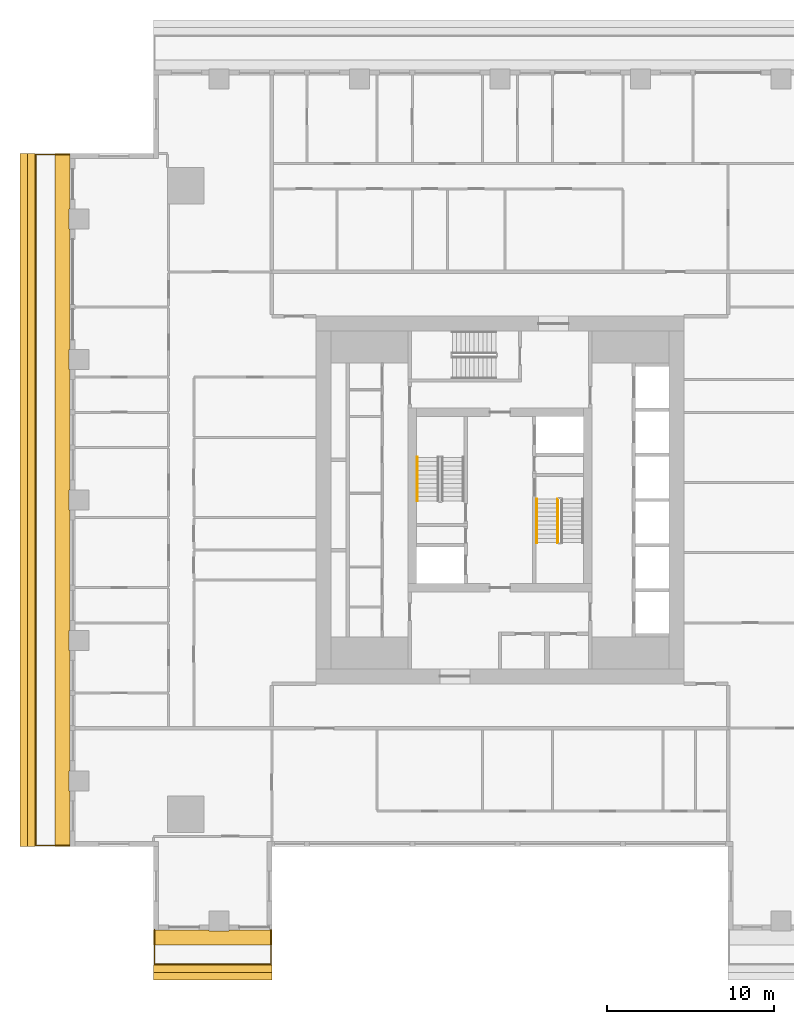
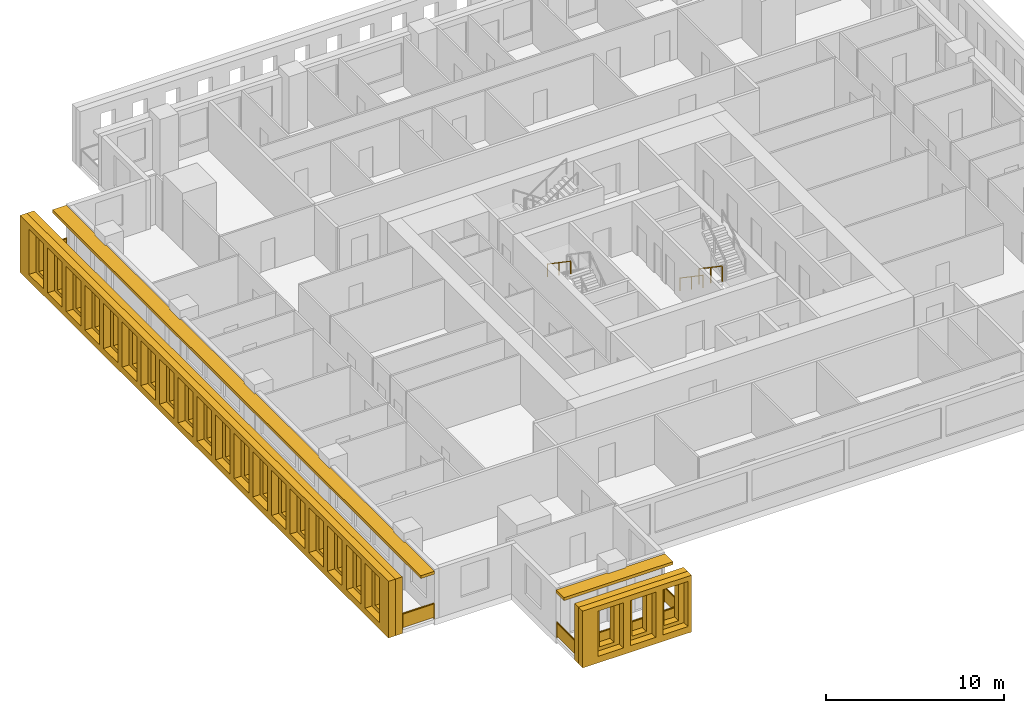
# One storey, part 10 of 14: 6 shading devices, 5 railings.
"""IFC4 building model written with IfcOpenShell, lengths in metres."""

import ifcopenshell
import ifcopenshell.guid

model = None  # the IFC model being written
_history = None  # IfcOwnerHistory: only IFC2X3 demands one
_inside = {}  # id of a spatial element -> (the spatial element, [elements in it])
_under = {}  # id of a project, library or spatial element -> (it, [spatial elements below it])
_declared = {}  # id of a project -> (the project, [libraries it declares])
_typed = {}  # id of a type object -> (the type object, [elements of that type])
_made_of = {}  # id of a material, layer set ... -> (it, [elements and type objects made of it])


def new_model(schema):
    """Start an empty IFC model of exactly this schema.

    Asked for "IFC4X3", IfcOpenShell would pick the latest addendum, in which some entities
    have other attributes; the version numbers below select the first issue.
    IFC2X3 requires an IfcOwnerHistory on every rooted entity: one is made here for all.
    """
    global model, _history
    if schema == "IFC4X3":
        model = ifcopenshell.file(schema_version=(4, 3, 0, 0))
    else:
        model = ifcopenshell.file(schema=schema)
    _inside.clear()
    _under.clear()
    _declared.clear()
    _typed.clear()
    _made_of.clear()
    _history = None
    if model.schema == "IFC2X3":
        org = make("IfcOrganization", Name="unknown")
        user = make(
            "IfcPersonAndOrganization",
            ThePerson=make("IfcPerson", FamilyName="unknown"),
            TheOrganization=org,
        )
        app = make(
            "IfcApplication",
            ApplicationDeveloper=org,
            Version="unknown",
            ApplicationFullName="unknown",
            ApplicationIdentifier="unknown",
        )
        _history = make(
            "IfcOwnerHistory",
            OwningUser=user,
            OwningApplication=app,
            ChangeAction="ADDED",
            CreationDate=0,
        )
    return model


def make(cls, **values):
    """One entity of the class cls with the attributes given. An attribute that is None is left unset."""
    return model.create_entity(
        cls, **{name: value for name, value in values.items() if value is not None}
    )


def rooted(cls, **values):
    """An entity with a GlobalId (a new one), such as an element, a storey or a relation."""
    return make(cls, GlobalId=ifcopenshell.guid.new(), OwnerHistory=_history, **values)


def si_unit(unit_type, name, prefix=None):
    """IfcSIUnit, for example si_unit("LENGTHUNIT", "METRE", prefix="MILLI")."""
    return make("IfcSIUnit", UnitType=unit_type, Prefix=prefix, Name=name)


def assignment(units):
    """IfcUnitAssignment: the units of a project."""
    return None if units is None else make("IfcUnitAssignment", Units=units)


def point(xyz):
    """IfcCartesianPoint."""
    return None if xyz is None else make("IfcCartesianPoint", Coordinates=xyz)


def direction(xyz):
    """IfcDirection."""
    return None if xyz is None else make("IfcDirection", DirectionRatios=xyz)


def frame(location, z_axis=None, x_axis=None):
    """IfcAxis2Placement3D, a coordinate frame: its origin and axes. An axis left out is left unset."""
    return make(
        "IfcAxis2Placement3D",
        Location=point(location),
        Axis=direction(z_axis),
        RefDirection=direction(x_axis),
    )


def frame_2d(location, x_axis=None):
    """IfcAxis2Placement2D, a coordinate frame in the plane: its origin and x axis."""
    return make(
        "IfcAxis2Placement2D", Location=point(location), RefDirection=direction(x_axis)
    )


def origin():
    """The frame at (0, 0, 0) with its axes left unset."""
    return frame((0.0, 0.0, 0.0))


def origin_2d():
    """The frame at (0, 0) in the plane with its x axis left unset."""
    return frame_2d((0.0, 0.0))


def place(relative_to, where):
    """IfcLocalPlacement: puts the frame where relative to a parent placement (None: the world)."""
    return make(
        "IfcLocalPlacement", PlacementRelTo=relative_to, RelativePlacement=where
    )


def context(
    kind, dimensions, precision=None, world=None, true_north=None, identifier=None
):
    """IfcGeometricRepresentationContext, for example the 3D "Model" context."""
    return make(
        "IfcGeometricRepresentationContext",
        ContextIdentifier=identifier,
        ContextType=kind,
        CoordinateSpaceDimension=dimensions,
        Precision=precision,
        WorldCoordinateSystem=world,
        TrueNorth=true_north,
    )


def subcontext(parent, identifier, kind, view, scale=None):
    """IfcGeometricRepresentationSubContext, for example "Body" below "Model"."""
    return make(
        "IfcGeometricRepresentationSubContext",
        ContextIdentifier=identifier,
        ContextType=kind,
        ParentContext=parent,
        TargetScale=scale,
        TargetView=view,
    )


def project(units=None, contexts=None):
    """IfcProject with its units and contexts."""
    return rooted(
        "IfcProject",
        Name="project",
        RepresentationContexts=contexts,
        UnitsInContext=assignment(units),
    )


def spatial(cls, under=None, at=None, **own):
    """A site, building, storey or space (cls), placed at a placement, below another one or the project."""
    s = rooted(cls, ObjectPlacement=at, **own)
    if under is not None:
        _under.setdefault(under.id(), (under, []))[1].append(s)
    return s


def polyline(points):
    """IfcPolyline through the points."""
    return make("IfcPolyline", Points=[point(p) for p in points])


def profile(cls, at=None, kind="AREA", **sizes):
    """A parametric profile (cls). Its sizes go by their IFC names, for example OverallWidth=200.0."""
    return make(cls, ProfileType=kind, Position=at, **sizes)


def rectangle(**sizes):
    """IfcRectangleProfileDef."""
    return profile("IfcRectangleProfileDef", **sizes)


def outline(outer, holes=None, kind="AREA"):
    """IfcArbitraryClosedProfileDef: a profile drawn as a closed curve; with holes, ...WithVoids."""
    if holes is None:
        return make("IfcArbitraryClosedProfileDef", ProfileType=kind, OuterCurve=outer)
    return make(
        "IfcArbitraryProfileDefWithVoids",
        ProfileType=kind,
        OuterCurve=outer,
        InnerCurves=holes,
    )


def extrude(swept, where, along, depth):
    """IfcExtrudedAreaSolid: the profile swept, set in the frame where, extruded along a direction by depth."""
    return make(
        "IfcExtrudedAreaSolid",
        SweptArea=swept,
        Position=where,
        ExtrudedDirection=direction(along),
        Depth=depth,
    )


def shape(context_of_items, identifier, shape_type, items):
    """IfcShapeRepresentation: the items that make up one representation, for example the "Body"."""
    return make(
        "IfcShapeRepresentation",
        ContextOfItems=context_of_items,
        RepresentationIdentifier=identifier,
        RepresentationType=shape_type,
        Items=items,
    )


def material(Name=None, Category=None):
    """IfcMaterial."""
    return make("IfcMaterial", Name=Name, Category=Category)


def layer(
    of_material, thickness, ventilated=None, Name=None, Category=None, Priority=None
):
    """IfcMaterialLayer: one layer of a wall or slab, of a material (None: an air gap)."""
    return make(
        "IfcMaterialLayer",
        Material=of_material,
        LayerThickness=thickness,
        IsVentilated=ventilated,
        Name=Name,
        Category=Category,
        Priority=Priority,
    )


def layer_set(layers, Name=None):
    """IfcMaterialLayerSet."""
    return make("IfcMaterialLayerSet", MaterialLayers=layers, LayerSetName=Name)


def made_of(thing, what):
    """Note that an element or type object is made of a material, layer set ...; save() writes the relation."""
    if what is not None:
        _made_of.setdefault(what.id(), (what, []))[1].append(thing)
    return thing


def type_object(cls, material=None, **own):
    """A type object (cls), such as IfcWallType, which elements share."""
    return made_of(rooted(cls, **own), material)


def element(
    cls,
    number,
    at=None,
    inside=None,
    cuts=None,
    type_object=None,
    material=None,
    context=None,
    identifier="Body",
    shape_type=None,
    held_by="IfcProductDefinitionShape",
    body=None,
    shapes=None,
    **own,
):
    """One element of the class cls, such as IfcWall. Its Tag is "e" and its number.

    at: its placement. inside: the storey or other place that contains it. cuts: it is an
    opening in that element (IfcRelVoidsElement). A single representation is given by context,
    identifier, shape_type and body (its items); several are given by shapes. held_by: the class
    of the entity that holds the representations. save() writes the other relations.
    """
    e = rooted(cls, Tag="e%d" % number, ObjectPlacement=at, **own)
    if body is not None:
        shapes = [shape(context, identifier, shape_type, body)]
    if shapes is not None:
        e.Representation = make(held_by, Representations=shapes)
    if inside is not None:
        _inside.setdefault(inside.id(), (inside, []))[1].append(e)
    if cuts is not None:
        rooted(
            "IfcRelVoidsElement", RelatingBuildingElement=cuts, RelatedOpeningElement=e
        )
    if type_object is not None:
        _typed.setdefault(type_object.id(), (type_object, []))[1].append(e)
    return made_of(e, material)


def aggregate(whole, parts):
    """IfcRelAggregates: a whole, such as a stair, and the parts it consists of."""
    return rooted("IfcRelAggregates", RelatingObject=whole, RelatedObjects=parts)


def save(model, path):
    """Write the relations noted so far, then the file.

    IfcRelAggregates (storeys below a building ...), IfcRelContainedInSpatialStructure (elements
    in a storey), IfcRelDefinesByType, IfcRelAssociatesMaterial and IfcRelDeclares: one each for
    every whole, place, type object, material and project.
    """
    for whole, parts in _under.values():
        aggregate(whole, parts)
    for where, things in _inside.values():
        rooted(
            "IfcRelContainedInSpatialStructure",
            RelatedElements=things,
            RelatingStructure=where,
        )
    for kind, things in _typed.values():
        rooted("IfcRelDefinesByType", RelatedObjects=things, RelatingType=kind)
    for what, things in _made_of.values():
        rooted("IfcRelAssociatesMaterial", RelatedObjects=things, RelatingMaterial=what)
    for by, libraries in _declared.values():
        rooted("IfcRelDeclares", RelatingContext=by, RelatedDefinitions=libraries)
    model.write(path)


model = new_model("IFC4")

# Units and contexts
model_context = context("Model", 3, precision=1e-05, world=origin(), true_north=direction((0.0, 1.0)))
body_context = subcontext(model_context, "Body", "Model", "MODEL_VIEW")
ifc_project = project(units=[si_unit("LENGTHUNIT", "METRE"), si_unit("AREAUNIT", "SQUARE_METRE"), si_unit("VOLUMEUNIT", "CUBIC_METRE"), si_unit("PLANEANGLEUNIT", "RADIAN"), si_unit("MASSUNIT", "GRAM", prefix="KILO")], contexts=[model_context])

# Site, building, storey
site_placement = place(None, origin())
site = spatial("IfcSite", under=ifc_project, at=site_placement, CompositionType="ELEMENT")
building_placement = place(site_placement, origin())
building = spatial("IfcBuilding", under=site, at=building_placement, Name="Khepri Terraces", CompositionType="ELEMENT")
storey_placement = place(building_placement, frame((0.0, 0.0, 283.5)))
storey = spatial("IfcBuildingStorey", under=building, at=storey_placement, Name="L68", CompositionType="ELEMENT", Elevation=283.5)

# Railings
ifc_material_1 = material(Name="Stainless steel grade 316", Category="steel")
railing_type_1 = type_object("IfcRailingType", Name="GRD-BAL-1100", PredefinedType="GUARDRAIL", material=ifc_material_1)
railing_1_placement = place(storey_placement, frame((-20.669921875, -25.719970703125, 0.0)))
element("IfcRailing", 1, at=railing_1_placement, inside=storey, type_object=railing_type_1, Name="Balcony guard L68 S", PredefinedType="GUARDRAIL", context=body_context, shape_type="SweptSolid", body=[
    extrude(rectangle(XDim=0.050048828125, YDim=0.06005859375, at=origin_2d()), frame((0.0, 0.0, 1.070068359375), z_axis=(0.0, -1.0, 0.0), x_axis=(1.0, 0.0, 0.0)), (0.0, 0.0, 1.0), 2.050048828125),
    extrude(rectangle(XDim=2.0, YDim=0.011962890625, at=origin_2d()), frame((0.0, -1.02490234375, 0.10009765625), z_axis=(0.0, 0.0, 1.0), x_axis=(0.0, -1.0, 0.0)), (0.0, 0.0, 1.0), 0.93994140625),
    extrude(rectangle(XDim=0.050048828125, YDim=0.06005859375, at=origin_2d()), frame((0.0, -2.050048828125, 1.070068359375), z_axis=(1.0, 0.0, 0.0), x_axis=(0.0, 1.0, 0.0)), (0.0, 0.0, 1.0), 6.969970703125),
    extrude(rectangle(XDim=2.273193359375, YDim=0.011962890625, at=origin_2d()), frame((1.16162109375, -2.050048828125, 0.10009765625), z_axis=(0.0, 0.0, 1.0), x_axis=(1.0, 0.0, 0.0)), (0.0, 0.0, 1.0), 0.93994140625),
    extrude(rectangle(XDim=2.273193359375, YDim=0.011962890625, at=origin_2d()), frame((3.48486328125, -2.050048828125, 0.10009765625), z_axis=(0.0, 0.0, 1.0), x_axis=(1.0, 0.0, 0.0)), (0.0, 0.0, 1.0), 0.93994140625),
    extrude(rectangle(XDim=2.273193359375, YDim=0.011962890625, at=origin_2d()), frame((5.808349609375, -2.050048828125, 0.10009765625), z_axis=(0.0, 0.0, 1.0), x_axis=(1.0, 0.0, 0.0)), (0.0, 0.0, 1.0), 0.93994140625),
    extrude(rectangle(XDim=0.050048828125, YDim=0.06005859375, at=origin_2d()), frame((6.969970703125, -2.050048828125, 1.070068359375), z_axis=(0.0, 1.0, 0.0), x_axis=(-1.0, 0.0, 0.0)), (0.0, 0.0, 1.0), 2.050048828125),
    extrude(rectangle(XDim=2.0, YDim=0.011962890625, at=origin_2d()), frame((6.969970703125, -1.02490234375, 0.10009765625), z_axis=(0.0, 0.0, 1.0), x_axis=(0.0, 1.0, 0.0)), (0.0, 0.0, 1.0), 0.93994140625),
    extrude(rectangle(XDim=0.050048828125, YDim=0.050048828125, at=origin_2d()), origin(), (0.0, 0.0, 1.0), 1.0400390625),
    extrude(rectangle(XDim=0.050048828125, YDim=0.050048828125, at=origin_2d()), frame((0.0, -2.050048828125, 0.0)), (0.0, 0.0, 1.0), 1.0400390625),
    extrude(rectangle(XDim=0.050048828125, YDim=0.050048828125, at=origin_2d()), frame((2.3232421875, -2.050048828125, 0.0)), (0.0, 0.0, 1.0), 1.0400390625),
    extrude(rectangle(XDim=0.050048828125, YDim=0.050048828125, at=origin_2d()), frame((4.646728515625, -2.050048828125, 0.0)), (0.0, 0.0, 1.0), 1.0400390625),
    extrude(rectangle(XDim=0.050048828125, YDim=0.050048828125, at=origin_2d()), frame((6.969970703125, -2.050048828125, 0.0)), (0.0, 0.0, 1.0), 1.0400390625),
    extrude(rectangle(XDim=0.050048828125, YDim=0.050048828125, at=origin_2d()), frame((6.969970703125, 0.0, 0.0)), (0.0, 0.0, 1.0), 1.0400390625),
])
railing_2_placement = place(storey_placement, frame((-25.719970703125, 20.669921875, 0.0)))
element("IfcRailing", 2, at=railing_2_placement, inside=storey, type_object=railing_type_1, Name="Balcony guard L68 W", PredefinedType="GUARDRAIL", context=body_context, shape_type="SweptSolid", body=[
    extrude(rectangle(XDim=0.050048828125, YDim=0.06005859375, at=origin_2d()), frame((0.0, 0.0, 1.070068359375), z_axis=(-1.0, 0.0, 0.0), x_axis=(0.0, -1.0, 0.0)), (0.0, 0.0, 1.0), 2.050048828125),
    extrude(rectangle(XDim=2.0, YDim=0.011962890625, at=origin_2d()), frame((-1.02490234375, 0.0, 0.10009765625), z_axis=(0.0, 0.0, 1.0), x_axis=(-1.0, 0.0, 0.0)), (0.0, 0.0, 1.0), 0.93994140625),
    extrude(rectangle(XDim=0.050048828125, YDim=0.06005859375, at=origin_2d()), frame((-2.050048828125, 0.0, 1.070068359375), z_axis=(0.0, -1.0, 0.0), x_axis=(1.0, 0.0, 0.0)), (0.0, 0.0, 1.0), 41.33984375),
    extrude(rectangle(XDim=2.24658203125, YDim=0.011962890625, at=origin_2d()), frame((-2.050048828125, -1.1484375, 0.10009765625), z_axis=(0.0, 0.0, 1.0), x_axis=(0.0, -1.0, 0.0)), (0.0, 0.0, 1.0), 0.93994140625),
    extrude(rectangle(XDim=2.24658203125, YDim=0.011962890625, at=origin_2d()), frame((-2.050048828125, -3.445068359375, 0.10009765625), z_axis=(0.0, 0.0, 1.0), x_axis=(0.0, -1.0, 0.0)), (0.0, 0.0, 1.0), 0.93994140625),
    extrude(rectangle(XDim=2.24658203125, YDim=0.011962890625, at=origin_2d()), frame((-2.050048828125, -5.74169921875, 0.10009765625), z_axis=(0.0, 0.0, 1.0), x_axis=(0.0, -1.0, 0.0)), (0.0, 0.0, 1.0), 0.93994140625),
    extrude(rectangle(XDim=2.24658203125, YDim=0.011962890625, at=origin_2d()), frame((-2.050048828125, -8.038330078125, 0.10009765625), z_axis=(0.0, 0.0, 1.0), x_axis=(0.0, -1.0, 0.0)), (0.0, 0.0, 1.0), 0.93994140625),
    extrude(rectangle(XDim=2.24658203125, YDim=0.011962890625, at=origin_2d()), frame((-2.050048828125, -10.3349609375, 0.10009765625), z_axis=(0.0, 0.0, 1.0), x_axis=(0.0, -1.0, 0.0)), (0.0, 0.0, 1.0), 0.93994140625),
    extrude(rectangle(XDim=2.24658203125, YDim=0.011962890625, at=origin_2d()), frame((-2.050048828125, -12.631591796875, 0.10009765625), z_axis=(0.0, 0.0, 1.0), x_axis=(0.0, -1.0, 0.0)), (0.0, 0.0, 1.0), 0.93994140625),
    extrude(rectangle(XDim=2.24658203125, YDim=0.011962890625, at=origin_2d()), frame((-2.050048828125, -14.92822265625, 0.10009765625), z_axis=(0.0, 0.0, 1.0), x_axis=(0.0, -1.0, 0.0)), (0.0, 0.0, 1.0), 0.93994140625),
    extrude(rectangle(XDim=2.24658203125, YDim=0.011962890625, at=origin_2d()), frame((-2.050048828125, -17.224853515625, 0.10009765625), z_axis=(0.0, 0.0, 1.0), x_axis=(0.0, -1.0, 0.0)), (0.0, 0.0, 1.0), 0.93994140625),
    extrude(rectangle(XDim=2.24658203125, YDim=0.011962890625, at=origin_2d()), frame((-2.050048828125, -19.521484375, 0.10009765625), z_axis=(0.0, 0.0, 1.0), x_axis=(0.0, -1.0, 0.0)), (0.0, 0.0, 1.0), 0.93994140625),
    extrude(rectangle(XDim=2.24658203125, YDim=0.011962890625, at=origin_2d()), frame((-2.050048828125, -21.818359375, 0.10009765625), z_axis=(0.0, 0.0, 1.0), x_axis=(0.0, -1.0, 0.0)), (0.0, 0.0, 1.0), 0.93994140625),
    extrude(rectangle(XDim=2.24658203125, YDim=0.011962890625, at=origin_2d()), frame((-2.050048828125, -24.114990234375, 0.10009765625), z_axis=(0.0, 0.0, 1.0), x_axis=(0.0, -1.0, 0.0)), (0.0, 0.0, 1.0), 0.93994140625),
    extrude(rectangle(XDim=2.24658203125, YDim=0.011962890625, at=origin_2d()), frame((-2.050048828125, -26.41162109375, 0.10009765625), z_axis=(0.0, 0.0, 1.0), x_axis=(0.0, -1.0, 0.0)), (0.0, 0.0, 1.0), 0.93994140625),
    extrude(rectangle(XDim=2.24658203125, YDim=0.011962890625, at=origin_2d()), frame((-2.050048828125, -28.708251953125, 0.10009765625), z_axis=(0.0, 0.0, 1.0), x_axis=(0.0, -1.0, 0.0)), (0.0, 0.0, 1.0), 0.93994140625),
    extrude(rectangle(XDim=2.24658203125, YDim=0.011962890625, at=origin_2d()), frame((-2.050048828125, -31.0048828125, 0.10009765625), z_axis=(0.0, 0.0, 1.0), x_axis=(0.0, -1.0, 0.0)), (0.0, 0.0, 1.0), 0.93994140625),
    extrude(rectangle(XDim=2.24658203125, YDim=0.011962890625, at=origin_2d()), frame((-2.050048828125, -33.301513671875, 0.10009765625), z_axis=(0.0, 0.0, 1.0), x_axis=(0.0, -1.0, 0.0)), (0.0, 0.0, 1.0), 0.93994140625),
    extrude(rectangle(XDim=2.24658203125, YDim=0.011962890625, at=origin_2d()), frame((-2.050048828125, -35.59814453125, 0.10009765625), z_axis=(0.0, 0.0, 1.0), x_axis=(0.0, -1.0, 0.0)), (0.0, 0.0, 1.0), 0.93994140625),
    extrude(rectangle(XDim=2.24658203125, YDim=0.011962890625, at=origin_2d()), frame((-2.050048828125, -37.894775390625, 0.10009765625), z_axis=(0.0, 0.0, 1.0), x_axis=(0.0, -1.0, 0.0)), (0.0, 0.0, 1.0), 0.93994140625),
    extrude(rectangle(XDim=2.24658203125, YDim=0.011962890625, at=origin_2d()), frame((-2.050048828125, -40.19140625, 0.10009765625), z_axis=(0.0, 0.0, 1.0), x_axis=(0.0, -1.0, 0.0)), (0.0, 0.0, 1.0), 0.93994140625),
    extrude(rectangle(XDim=0.050048828125, YDim=0.06005859375, at=origin_2d()), frame((-2.050048828125, -41.33984375, 1.070068359375), z_axis=(1.0, 0.0, 0.0), x_axis=(0.0, 1.0, 0.0)), (0.0, 0.0, 1.0), 2.050048828125),
    extrude(rectangle(XDim=2.0, YDim=0.011962890625, at=origin_2d()), frame((-1.02490234375, -41.33984375, 0.10009765625), z_axis=(0.0, 0.0, 1.0), x_axis=(1.0, 0.0, 0.0)), (0.0, 0.0, 1.0), 0.93994140625),
    extrude(rectangle(XDim=0.050048828125, YDim=0.050048828125, at=origin_2d()), origin(), (0.0, 0.0, 1.0), 1.0400390625),
    extrude(rectangle(XDim=0.050048828125, YDim=0.050048828125, at=origin_2d()), frame((-2.050048828125, 0.0, 0.0)), (0.0, 0.0, 1.0), 1.0400390625),
    extrude(rectangle(XDim=0.050048828125, YDim=0.050048828125, at=origin_2d()), frame((-2.050048828125, -2.296630859375, 0.0)), (0.0, 0.0, 1.0), 1.0400390625),
    extrude(rectangle(XDim=0.050048828125, YDim=0.050048828125, at=origin_2d()), frame((-2.050048828125, -4.59326171875, 0.0)), (0.0, 0.0, 1.0), 1.0400390625),
    extrude(rectangle(XDim=0.050048828125, YDim=0.050048828125, at=origin_2d()), frame((-2.050048828125, -6.889892578125, 0.0)), (0.0, 0.0, 1.0), 1.0400390625),
    extrude(rectangle(XDim=0.050048828125, YDim=0.050048828125, at=origin_2d()), frame((-2.050048828125, -9.1865234375, 0.0)), (0.0, 0.0, 1.0), 1.0400390625),
    extrude(rectangle(XDim=0.050048828125, YDim=0.050048828125, at=origin_2d()), frame((-2.050048828125, -11.4833984375, 0.0)), (0.0, 0.0, 1.0), 1.0400390625),
    extrude(rectangle(XDim=0.050048828125, YDim=0.050048828125, at=origin_2d()), frame((-2.050048828125, -13.780029296875, 0.0)), (0.0, 0.0, 1.0), 1.0400390625),
    extrude(rectangle(XDim=0.050048828125, YDim=0.050048828125, at=origin_2d()), frame((-2.050048828125, -16.07666015625, 0.0)), (0.0, 0.0, 1.0), 1.0400390625),
    extrude(rectangle(XDim=0.050048828125, YDim=0.050048828125, at=origin_2d()), frame((-2.050048828125, -18.373291015625, 0.0)), (0.0, 0.0, 1.0), 1.0400390625),
    extrude(rectangle(XDim=0.050048828125, YDim=0.050048828125, at=origin_2d()), frame((-2.050048828125, -20.669921875, 0.0)), (0.0, 0.0, 1.0), 1.0400390625),
    extrude(rectangle(XDim=0.050048828125, YDim=0.050048828125, at=origin_2d()), frame((-2.050048828125, -22.966552734375, 0.0)), (0.0, 0.0, 1.0), 1.0400390625),
    extrude(rectangle(XDim=0.050048828125, YDim=0.050048828125, at=origin_2d()), frame((-2.050048828125, -25.26318359375, 0.0)), (0.0, 0.0, 1.0), 1.0400390625),
    extrude(rectangle(XDim=0.050048828125, YDim=0.050048828125, at=origin_2d()), frame((-2.050048828125, -27.559814453125, 0.0)), (0.0, 0.0, 1.0), 1.0400390625),
    extrude(rectangle(XDim=0.050048828125, YDim=0.050048828125, at=origin_2d()), frame((-2.050048828125, -29.8564453125, 0.0)), (0.0, 0.0, 1.0), 1.0400390625),
    extrude(rectangle(XDim=0.050048828125, YDim=0.050048828125, at=origin_2d()), frame((-2.050048828125, -32.1533203125, 0.0)), (0.0, 0.0, 1.0), 1.0400390625),
    extrude(rectangle(XDim=0.050048828125, YDim=0.050048828125, at=origin_2d()), frame((-2.050048828125, -34.449951171875, 0.0)), (0.0, 0.0, 1.0), 1.0400390625),
    extrude(rectangle(XDim=0.050048828125, YDim=0.050048828125, at=origin_2d()), frame((-2.050048828125, -36.74658203125, 0.0)), (0.0, 0.0, 1.0), 1.0400390625),
    extrude(rectangle(XDim=0.050048828125, YDim=0.050048828125, at=origin_2d()), frame((-2.050048828125, -39.043212890625, 0.0)), (0.0, 0.0, 1.0), 1.0400390625),
    extrude(rectangle(XDim=0.050048828125, YDim=0.050048828125, at=origin_2d()), frame((-2.050048828125, -41.33984375, 0.0)), (0.0, 0.0, 1.0), 1.0400390625),
    extrude(rectangle(XDim=0.050048828125, YDim=0.050048828125, at=origin_2d()), frame((0.0, -41.33984375, 0.0)), (0.0, 0.0, 1.0), 1.0400390625),
])
ifc_material_2 = material(Name="Stainless steel 316", Category="steel")
railing_type_2 = type_object("IfcRailingType", Name="RL-CORE-GUARD", PredefinedType="GUARDRAIL", material=ifc_material_2)
railing_3_placement = place(storey_placement, frame((3.449951171875, 0.050048828125, 0.17724609375)))
element("IfcRailing", 3, at=railing_3_placement, inside=storey, type_object=railing_type_2, Name="L68 ST-2 stair guard 1", PredefinedType="GUARDRAIL", context=body_context, shape_type="SweptSolid", body=[
    extrude(rectangle(XDim=0.050048828125, YDim=0.06005859375, at=origin_2d()), frame((0.0, 0.0, 1.070068359375), z_axis=(0.0, -0.826240473404, 0.563317565952), x_axis=(1.0, 0.0, 0.0)), (0.0, 0.0, 1.0), 3.14697265625),
    extrude(rectangle(XDim=0.050048828125, YDim=0.050048828125, at=origin_2d()), origin(), (0.0, 0.0, 1.0), 1.0400390625),
    extrude(rectangle(XDim=0.050048828125, YDim=0.050048828125, at=origin_2d()), frame((0.0, -1.300048828125, 0.88623046875)), (0.0, 0.0, 1.0), 1.0400390625),
    extrude(rectangle(XDim=0.050048828125, YDim=0.050048828125, at=origin_2d()), frame((0.0, -2.60009765625, 1.772705078125)), (0.0, 0.0, 1.0), 1.0400390625),
])
railing_type_3 = type_object("IfcRailingType", Name="RL-CORE-HANDRAIL", PredefinedType="HANDRAIL", material=ifc_material_2)
for number, where, name in (
    (4, (-4.949951171875, 2.550048828125, 2.127197265625), "L68 ST-1 stair handrail 2"),
    (5, (2.199951171875, 0.050048828125, 0.17724609375), "L68 ST-2 stair handrail 1"),
):
    element("IfcRailing", number, at=place(storey_placement, frame(where)), inside=storey, type_object=railing_type_3, Name=name, PredefinedType="HANDRAIL", context=body_context, shape_type="SweptSolid", body=[
        extrude(rectangle(XDim=0.050048828125, YDim=0.050048828125, at=origin_2d()), frame((0.0, 0.0, 0.875), z_axis=(0.0, -0.826240473404, 0.563317565952), x_axis=(1.0, 0.0, 0.0)), (0.0, 0.0, 1.0), 3.14697265625),
        extrude(rectangle(XDim=0.050048828125, YDim=0.050048828125, at=origin_2d()), origin(), (0.0, 0.0, 1.0), 0.849853515625),
        extrude(rectangle(XDim=0.050048828125, YDim=0.050048828125, at=origin_2d()), frame((0.0, -1.300048828125, 0.88623046875)), (0.0, 0.0, 1.0), 0.849853515625),
        extrude(rectangle(XDim=0.050048828125, YDim=0.050048828125, at=origin_2d()), frame((0.0, -2.60009765625, 1.772705078125)), (0.0, 0.0, 1.0), 0.849853515625),
    ])

# Shading devices
ifc_material_3 = material(Name="Precast concrete C50/60 warm stone", Category="masonry")
shading_device_type_1 = type_object("IfcShadingDeviceType", Name="SCR-CELL-INNER-450", PredefinedType="USERDEFINED", material=ifc_material_3)
shading_device_1_placement = place(storey_placement, frame((-20.719970703125, -27.820068359375, -0.25), z_axis=(0.0, -1.0, 0.0), x_axis=(1.0, 0.0, 0.0)))
element("IfcShadingDevice", 6, at=shading_device_1_placement, inside=storey, type_object=shading_device_type_1, Name="Cell screen L68 S in", ObjectType="SCREEN", PredefinedType="USERDEFINED", context=body_context, shape_type="SweptSolid", body=[
    extrude(outline(polyline([(0.0, 0.0), (7.070068359375, 0.0), (7.070068359375, 3.89990234375), (0.0, 3.89990234375), (0.0, 0.0)]), holes=[polyline([(1.347412109375, 0.699951171875), (2.29248046875, 0.699951171875), (2.29248046875, 3.300048828125), (1.347412109375, 3.300048828125), (1.347412109375, 0.699951171875)]), polyline([(3.447509765625, 0.699951171875), (4.392578125, 0.699951171875), (4.392578125, 3.300048828125), (3.447509765625, 3.300048828125), (3.447509765625, 0.699951171875)]), polyline([(5.547607421875, 0.699951171875), (6.492431640625, 0.699951171875), (6.492431640625, 3.300048828125), (5.547607421875, 3.300048828125), (5.547607421875, 0.699951171875)])]), origin(), (0.0, 0.0, 1.0), 0.449951171875),
])
shading_device_2_placement = place(storey_placement, frame((-27.820068359375, 20.719970703125, -0.25), z_axis=(-1.0, 0.0, 0.0), x_axis=(0.0, -1.0, 0.0)))
element("IfcShadingDevice", 7, at=shading_device_2_placement, inside=storey, type_object=shading_device_type_1, Name="Cell screen L68 W in", ObjectType="SCREEN", PredefinedType="USERDEFINED", context=body_context, shape_type="SweptSolid", body=[
    extrude(outline(polyline([(0.0, 0.0), (41.43994140625, 0.0), (41.43994140625, 3.89990234375), (0.0, 3.89990234375), (0.0, 0.0)]), holes=[polyline([(1.347412109375, 0.699951171875), (2.29248046875, 0.699951171875), (2.29248046875, 3.300048828125), (1.347412109375, 3.300048828125), (1.347412109375, 0.699951171875)]), polyline([(3.447509765625, 0.699951171875), (4.392578125, 0.699951171875), (4.392578125, 3.300048828125), (3.447509765625, 3.300048828125), (3.447509765625, 0.699951171875)]), polyline([(5.547607421875, 0.699951171875), (6.492431640625, 0.699951171875), (6.492431640625, 3.300048828125), (5.547607421875, 3.300048828125), (5.547607421875, 0.699951171875)]), polyline([(7.6474609375, 0.699951171875), (8.592529296875, 0.699951171875), (8.592529296875, 3.300048828125), (7.6474609375, 3.300048828125), (7.6474609375, 0.699951171875)]), polyline([(9.74755859375, 0.699951171875), (10.6923828125, 0.699951171875), (10.6923828125, 3.300048828125), (9.74755859375, 3.300048828125), (9.74755859375, 0.699951171875)]), polyline([(11.847412109375, 0.699951171875), (12.79248046875, 0.699951171875), (12.79248046875, 3.300048828125), (11.847412109375, 3.300048828125), (11.847412109375, 0.699951171875)]), polyline([(13.947509765625, 0.699951171875), (14.892578125, 0.699951171875), (14.892578125, 3.300048828125), (13.947509765625, 3.300048828125), (13.947509765625, 0.699951171875)]), polyline([(16.047607421875, 0.699951171875), (16.992431640625, 0.699951171875), (16.992431640625, 3.300048828125), (16.047607421875, 3.300048828125), (16.047607421875, 0.699951171875)]), polyline([(18.1474609375, 0.699951171875), (19.092529296875, 0.699951171875), (19.092529296875, 3.300048828125), (18.1474609375, 3.300048828125), (18.1474609375, 0.699951171875)]), polyline([(20.24755859375, 0.699951171875), (21.1923828125, 0.699951171875), (21.1923828125, 3.300048828125), (20.24755859375, 3.300048828125), (20.24755859375, 0.699951171875)]), polyline([(22.347412109375, 0.699951171875), (23.29248046875, 0.699951171875), (23.29248046875, 3.300048828125), (22.347412109375, 3.300048828125), (22.347412109375, 0.699951171875)]), polyline([(24.447509765625, 0.699951171875), (25.392578125, 0.699951171875), (25.392578125, 3.300048828125), (24.447509765625, 3.300048828125), (24.447509765625, 0.699951171875)]), polyline([(26.547607421875, 0.699951171875), (27.492431640625, 0.699951171875), (27.492431640625, 3.300048828125), (26.547607421875, 3.300048828125), (26.547607421875, 0.699951171875)]), polyline([(28.6474609375, 0.699951171875), (29.592529296875, 0.699951171875), (29.592529296875, 3.300048828125), (28.6474609375, 3.300048828125), (28.6474609375, 0.699951171875)]), polyline([(30.74755859375, 0.699951171875), (31.6923828125, 0.699951171875), (31.6923828125, 3.300048828125), (30.74755859375, 3.300048828125), (30.74755859375, 0.699951171875)]), polyline([(32.847412109375, 0.699951171875), (33.79248046875, 0.699951171875), (33.79248046875, 3.300048828125), (32.847412109375, 3.300048828125), (32.847412109375, 0.699951171875)]), polyline([(34.947509765625, 0.699951171875), (35.892578125, 0.699951171875), (35.892578125, 3.300048828125), (34.947509765625, 3.300048828125), (34.947509765625, 0.699951171875)]), polyline([(37.047607421875, 0.699951171875), (37.992431640625, 0.699951171875), (37.992431640625, 3.300048828125), (37.047607421875, 3.300048828125), (37.047607421875, 0.699951171875)]), polyline([(39.1474609375, 0.699951171875), (40.092529296875, 0.699951171875), (40.092529296875, 3.300048828125), (39.1474609375, 3.300048828125), (39.1474609375, 0.699951171875)])]), origin(), (0.0, 0.0, 1.0), 0.449951171875),
])
shading_device_type_2 = type_object("IfcShadingDeviceType", Name="SCR-CELL-OUTER-450", PredefinedType="USERDEFINED", material=ifc_material_3)
shading_device_3_placement = place(storey_placement, frame((-20.719970703125, -28.27001953125, -0.25), z_axis=(0.0, -1.0, 0.0), x_axis=(1.0, 0.0, 0.0)))
element("IfcShadingDevice", 8, at=shading_device_3_placement, inside=storey, type_object=shading_device_type_2, Name="Cell screen L68 S out", ObjectType="SCREEN", PredefinedType="USERDEFINED", context=body_context, shape_type="SweptSolid", body=[
    extrude(outline(polyline([(0.0, 0.0), (7.070068359375, 0.0), (7.070068359375, 3.89990234375), (0.0, 3.89990234375), (0.0, 0.0)]), holes=[polyline([(0.99755859375, 0.449951171875), (2.642578125, 0.449951171875), (2.642578125, 3.550048828125), (0.99755859375, 3.550048828125), (0.99755859375, 0.449951171875)]), polyline([(3.097412109375, 0.449951171875), (4.742431640625, 0.449951171875), (4.742431640625, 3.550048828125), (3.097412109375, 3.550048828125), (3.097412109375, 0.449951171875)]), polyline([(5.197509765625, 0.449951171875), (6.842529296875, 0.449951171875), (6.842529296875, 3.550048828125), (5.197509765625, 3.550048828125), (5.197509765625, 0.449951171875)])]), origin(), (0.0, 0.0, 1.0), 0.449951171875),
])
shading_device_4_placement = place(storey_placement, frame((-28.27001953125, 20.719970703125, -0.25), z_axis=(-1.0, 0.0, 0.0), x_axis=(0.0, -1.0, 0.0)))
element("IfcShadingDevice", 9, at=shading_device_4_placement, inside=storey, type_object=shading_device_type_2, Name="Cell screen L68 W out", ObjectType="SCREEN", PredefinedType="USERDEFINED", context=body_context, shape_type="SweptSolid", body=[
    extrude(outline(polyline([(0.0, 0.0), (41.43994140625, 0.0), (41.43994140625, 3.89990234375), (0.0, 3.89990234375), (0.0, 0.0)]), holes=[polyline([(0.99755859375, 0.449951171875), (2.642578125, 0.449951171875), (2.642578125, 3.550048828125), (0.99755859375, 3.550048828125), (0.99755859375, 0.449951171875)]), polyline([(3.097412109375, 0.449951171875), (4.742431640625, 0.449951171875), (4.742431640625, 3.550048828125), (3.097412109375, 3.550048828125), (3.097412109375, 0.449951171875)]), polyline([(5.197509765625, 0.449951171875), (6.842529296875, 0.449951171875), (6.842529296875, 3.550048828125), (5.197509765625, 3.550048828125), (5.197509765625, 0.449951171875)]), polyline([(7.297607421875, 0.449951171875), (8.9423828125, 0.449951171875), (8.9423828125, 3.550048828125), (7.297607421875, 3.550048828125), (7.297607421875, 0.449951171875)]), polyline([(9.3974609375, 0.449951171875), (11.04248046875, 0.449951171875), (11.04248046875, 3.550048828125), (9.3974609375, 3.550048828125), (9.3974609375, 0.449951171875)]), polyline([(11.49755859375, 0.449951171875), (13.142578125, 0.449951171875), (13.142578125, 3.550048828125), (11.49755859375, 3.550048828125), (11.49755859375, 0.449951171875)]), polyline([(13.597412109375, 0.449951171875), (15.242431640625, 0.449951171875), (15.242431640625, 3.550048828125), (13.597412109375, 3.550048828125), (13.597412109375, 0.449951171875)]), polyline([(15.697509765625, 0.449951171875), (17.342529296875, 0.449951171875), (17.342529296875, 3.550048828125), (15.697509765625, 3.550048828125), (15.697509765625, 0.449951171875)]), polyline([(17.797607421875, 0.449951171875), (19.4423828125, 0.449951171875), (19.4423828125, 3.550048828125), (17.797607421875, 3.550048828125), (17.797607421875, 0.449951171875)]), polyline([(19.8974609375, 0.449951171875), (21.54248046875, 0.449951171875), (21.54248046875, 3.550048828125), (19.8974609375, 3.550048828125), (19.8974609375, 0.449951171875)]), polyline([(21.99755859375, 0.449951171875), (23.642578125, 0.449951171875), (23.642578125, 3.550048828125), (21.99755859375, 3.550048828125), (21.99755859375, 0.449951171875)]), polyline([(24.097412109375, 0.449951171875), (25.742431640625, 0.449951171875), (25.742431640625, 3.550048828125), (24.097412109375, 3.550048828125), (24.097412109375, 0.449951171875)]), polyline([(26.197509765625, 0.449951171875), (27.842529296875, 0.449951171875), (27.842529296875, 3.550048828125), (26.197509765625, 3.550048828125), (26.197509765625, 0.449951171875)]), polyline([(28.297607421875, 0.449951171875), (29.9423828125, 0.449951171875), (29.9423828125, 3.550048828125), (28.297607421875, 3.550048828125), (28.297607421875, 0.449951171875)]), polyline([(30.3974609375, 0.449951171875), (32.04248046875, 0.449951171875), (32.04248046875, 3.550048828125), (30.3974609375, 3.550048828125), (30.3974609375, 0.449951171875)]), polyline([(32.49755859375, 0.449951171875), (34.142578125, 0.449951171875), (34.142578125, 3.550048828125), (32.49755859375, 3.550048828125), (32.49755859375, 0.449951171875)]), polyline([(34.597412109375, 0.449951171875), (36.242431640625, 0.449951171875), (36.242431640625, 3.550048828125), (34.597412109375, 3.550048828125), (34.597412109375, 0.449951171875)]), polyline([(36.697509765625, 0.449951171875), (38.342529296875, 0.449951171875), (38.342529296875, 3.550048828125), (36.697509765625, 3.550048828125), (36.697509765625, 0.449951171875)]), polyline([(38.797607421875, 0.449951171875), (40.4423828125, 0.449951171875), (40.4423828125, 3.550048828125), (38.797607421875, 3.550048828125), (38.797607421875, 0.449951171875)])]), origin(), (0.0, 0.0, 1.0), 0.449951171875),
])
ifc_layer = layer(ifc_material_3, 0.199951171875, Name="Precast concrete C50/60 warm stone", Category="masonry")
ifc_layer_set = layer_set([ifc_layer], Name="Precast concrete C50/60 warm stone")
shading_device_type_3 = type_object("IfcShadingDeviceType", Name="SSH-BAND-STONE-200", PredefinedType="USERDEFINED", material=ifc_layer_set)
shading_device_5_placement = place(storey_placement, frame((0.0, 0.0, 3.10009765625)))
element("IfcShadingDevice", 10, at=shading_device_5_placement, inside=storey, type_object=shading_device_type_3, Name="Sunshade band L68 S", ObjectType="SUNSHADE", PredefinedType="USERDEFINED", context=body_context, shape_type="SweptSolid", body=[
    extrude(outline(polyline([(-17.39990234375, -25.719970703125), (-20.719970703125, -25.719970703125), (-20.719970703125, -26.6201171875), (-13.64990234375, -26.6201171875), (-13.64990234375, -25.719970703125), (-16.199951171875, -25.719970703125), (-16.199951171875, -25.800048828125), (-17.39990234375, -25.800048828125), (-17.39990234375, -25.719970703125)])), origin(), (0.0, 0.0, 1.0), 0.199951171875),
])
shading_device_6_placement = place(storey_placement, frame((0.0, 0.0, 3.10009765625)))
element("IfcShadingDevice", 11, at=shading_device_6_placement, inside=storey, type_object=shading_device_type_3, Name="Sunshade band L68 W", ObjectType="SUNSHADE", PredefinedType="USERDEFINED", context=body_context, shape_type="SweptSolid", body=[
    extrude(outline(polyline([(-25.719970703125, 17.39990234375), (-25.719970703125, 20.719970703125), (-26.6201171875, 20.719970703125), (-26.6201171875, -20.719970703125), (-25.719970703125, -20.719970703125), (-25.719970703125, -17.39990234375), (-25.800048828125, -17.39990234375), (-25.800048828125, -16.199951171875), (-25.719970703125, -16.199951171875), (-25.719970703125, -9.0), (-25.800048828125, -9.0), (-25.800048828125, -7.800048828125), (-25.719970703125, -7.800048828125), (-25.719970703125, -0.60009765625), (-25.800048828125, -0.60009765625), (-25.800048828125, 0.60009765625), (-25.719970703125, 0.60009765625), (-25.719970703125, 7.800048828125), (-25.800048828125, 7.800048828125), (-25.800048828125, 9.0), (-25.719970703125, 9.0), (-25.719970703125, 16.199951171875), (-25.800048828125, 16.199951171875), (-25.800048828125, 17.39990234375), (-25.719970703125, 17.39990234375)])), origin(), (0.0, 0.0, 1.0), 0.199951171875),
])

save(model, "model.ifc")
